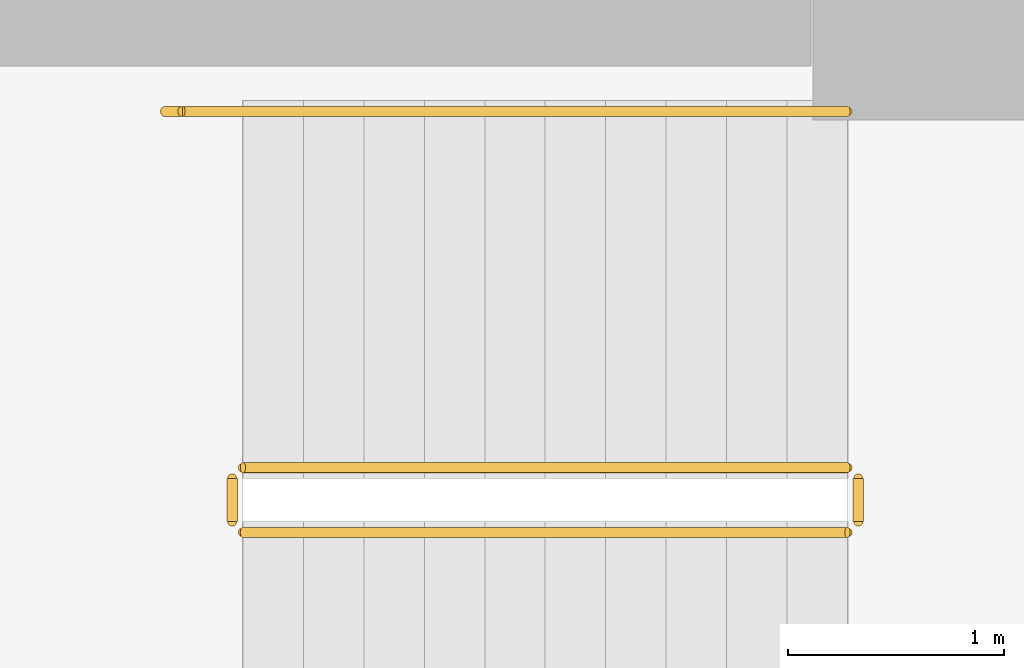
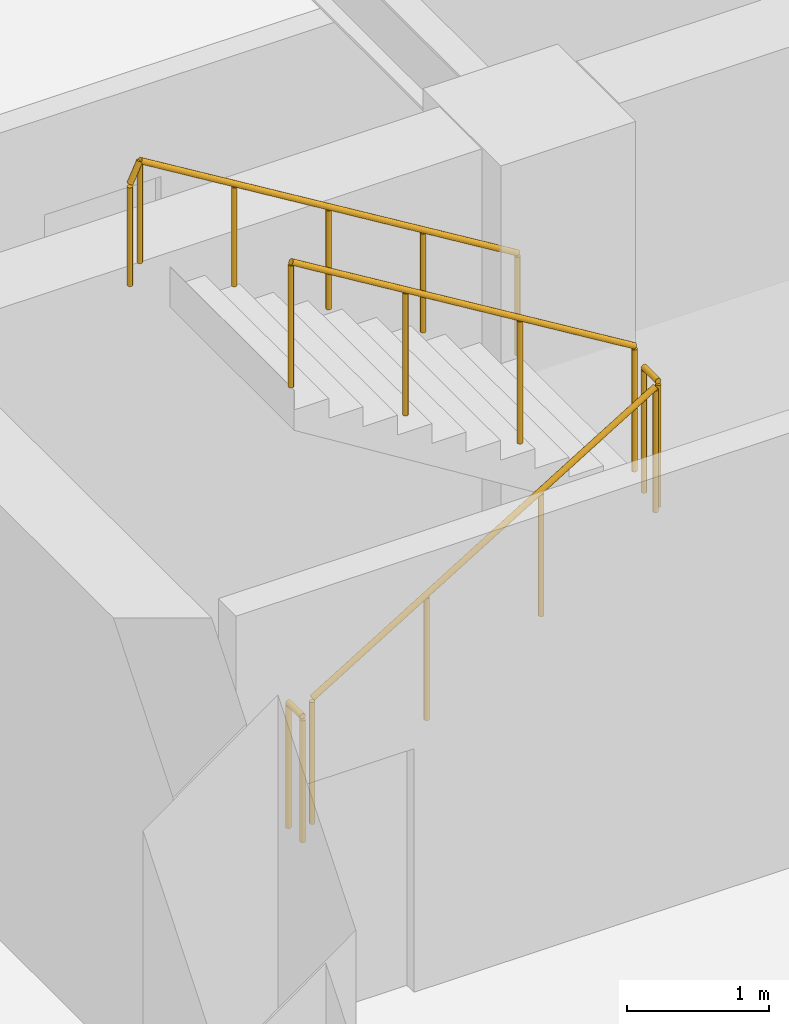
# One storey, part 25 of 26: 5 railings.
"""IFC4 building model written with IfcOpenShell, lengths in metres."""

from ifc_helpers import new_model, si_unit, direction, frame, origin, origin_2d, place, context, subcontext, project, spatial, circle, extrude, material, type_object, element, save


model = new_model("IFC4")

# Units and contexts
model_context = context("Model", 3, precision=1e-05, world=origin(), true_north=direction((0.0, 1.0)))
body_context = subcontext(model_context, "Body", "Model", "MODEL_VIEW")
ifc_project = project(units=[si_unit("LENGTHUNIT", "METRE"), si_unit("AREAUNIT", "SQUARE_METRE"), si_unit("VOLUMEUNIT", "CUBIC_METRE"), si_unit("PLANEANGLEUNIT", "RADIAN"), si_unit("MASSUNIT", "GRAM", prefix="KILO")], contexts=[model_context])

# Site, building, storey
site_placement = place(None, origin())
site = spatial("IfcSite", under=ifc_project, at=site_placement, CompositionType="ELEMENT")
building_placement = place(site_placement, origin())
building = spatial("IfcBuilding", under=site, at=building_placement, Name="Surkhivell Harbour Commons", CompositionType="ELEMENT")
storey_placement = place(building_placement, frame((0.0, 0.0, 143.25)))
storey = spatial("IfcBuildingStorey", under=building, at=storey_placement, Name="L37", CompositionType="ELEMENT", Elevation=143.25)

# Railings
ifc_material_1 = material(Name="Galvanised and painted steel S355 guard rail", Category="steel")
railing_type_1 = type_object("IfcRailingType", Name="RAL-ST-GRD1100", PredefinedType="GUARDRAIL", material=ifc_material_1)
railing_1_placement = place(storey_placement, frame((-8.590087890625, 8.340087890625, 0.17041015625)))
element("IfcRailing", 1, at=railing_1_placement, inside=storey, type_object=railing_type_1, Name="L37 ST1 stair guard 1", PredefinedType="GUARDRAIL", context=body_context, shape_type="SweptSolid", body=[
    extrude(circle(Radius=0.02392578125, at=origin_2d()), frame((0.0, 0.0, 1.076171875), z_axis=(0.854169791009, 0.0, 0.51999420009), x_axis=(0.0, 1.0, 0.0)), (0.0, 0.0, 1.0), 3.278076171875),
    extrude(circle(Radius=0.02099609375, at=origin_2d()), origin(), (0.0, 0.0, 1.0), 1.052001953125),
    extrude(circle(Radius=0.02099609375, at=origin_2d()), frame((0.933349609375, 0.0, 0.568115234375)), (0.0, 0.0, 1.0), 1.052001953125),
    extrude(circle(Radius=0.02099609375, at=origin_2d()), frame((1.86669921875, 0.0, 1.136474609375)), (0.0, 0.0, 1.0), 1.052001953125),
    extrude(circle(Radius=0.02099609375, at=origin_2d()), frame((2.800048828125, 0.0, 1.70458984375)), (0.0, 0.0, 1.0), 1.052001953125),
])
railing_2_placement = place(storey_placement, frame((-5.739990234375, 8.389892578125, 1.875)))
element("IfcRailing", 2, at=railing_2_placement, inside=storey, type_object=railing_type_1, Name="L37 ST1 stair guard 2", PredefinedType="GUARDRAIL", context=body_context, shape_type="SweptSolid", body=[
    extrude(circle(Radius=0.02392578125, at=origin_2d()), frame((0.0, 0.0, 1.076171875), z_axis=(0.0, 1.0, 0.0), x_axis=(-1.0, 0.0, 0.0)), (0.0, 0.0, 1.0), 0.2001953125),
    extrude(circle(Radius=0.02099609375, at=origin_2d()), origin(), (0.0, 0.0, 1.0), 1.052001953125),
    extrude(circle(Radius=0.02099609375, at=origin_2d()), frame((0.0, 0.2001953125, 0.0)), (0.0, 0.0, 1.0), 1.052001953125),
])
railing_3_placement = place(storey_placement, frame((-5.7900390625, 8.639892578125, 2.04541015625)))
element("IfcRailing", 3, at=railing_3_placement, inside=storey, type_object=railing_type_1, Name="L37 ST1 stair guard 3", PredefinedType="GUARDRAIL", context=body_context, shape_type="SweptSolid", body=[
    extrude(circle(Radius=0.02392578125, at=origin_2d()), frame((0.0, 0.0, 1.076171875), z_axis=(-0.854169791009, 0.0, 0.51999420009), x_axis=(0.0, -1.0, 0.0)), (0.0, 0.0, 1.0), 3.278076171875),
    extrude(circle(Radius=0.02099609375, at=origin_2d()), origin(), (0.0, 0.0, 1.0), 1.052001953125),
    extrude(circle(Radius=0.02099609375, at=origin_2d()), frame((-0.933349609375, 0.0, 0.568115234375)), (0.0, 0.0, 1.0), 1.052001953125),
    extrude(circle(Radius=0.02099609375, at=origin_2d()), frame((-1.86669921875, 0.0, 1.136474609375)), (0.0, 0.0, 1.0), 1.052001953125),
    extrude(circle(Radius=0.02099609375, at=origin_2d()), frame((-2.800048828125, 0.0, 1.70458984375)), (0.0, 0.0, 1.0), 1.052001953125),
])
railing_4_placement = place(storey_placement, frame((-8.639892578125, 8.389892578125, 0.0)))
element("IfcRailing", 4, at=railing_4_placement, inside=storey, type_object=railing_type_1, Name="L37 ST1 stair guard 4", PredefinedType="GUARDRAIL", context=body_context, shape_type="SweptSolid", body=[
    extrude(circle(Radius=0.02392578125, at=origin_2d()), frame((0.0, 0.0, 1.076171875), z_axis=(0.0, 1.0, 0.0), x_axis=(-1.0, 0.0, 0.0)), (0.0, 0.0, 1.0), 0.2001953125),
    extrude(circle(Radius=0.02099609375, at=origin_2d()), origin(), (0.0, 0.0, 1.0), 1.052001953125),
    extrude(circle(Radius=0.02099609375, at=origin_2d()), frame((0.0, 0.2001953125, 0.0)), (0.0, 0.0, 1.0), 1.052001953125),
])
ifc_material_2 = material(Name="Brushed stainless steel S355 handrail", Category="steel")
railing_type_2 = type_object("IfcRailingType", Name="RAL-ST-HND900", PredefinedType="HANDRAIL", material=ifc_material_2)
railing_5_placement = place(storey_placement, frame((-5.7900390625, 10.2900390625, 2.04541015625)))
element("IfcRailing", 5, at=railing_5_placement, inside=storey, type_object=railing_type_2, Name="L37 ST1 stair handrail 2", PredefinedType="HANDRAIL", context=body_context, shape_type="SweptSolid", body=[
    extrude(circle(Radius=0.02392578125, at=origin_2d()), frame((0.0, 0.0, 0.8759765625), z_axis=(-0.854177636135, 0.0, 0.519981313056), x_axis=(0.0, -1.0, 0.0)), (0.0, 0.0, 1.0), 3.60595703125),
    extrude(circle(Radius=0.02392578125, at=origin_2d()), frame((-3.080078125, 0.0, 2.7509765625), z_axis=(-0.424234432967, 0.0, -0.905552398199), x_axis=(0.0, -1.0, 0.0)), (0.0, 0.0, 1.0), 0.188232421875),
    extrude(circle(Radius=0.02099609375, at=origin_2d()), origin(), (0.0, 0.0, 1.0), 0.851806640625),
    extrude(circle(Radius=0.02099609375, at=origin_2d()), frame((-0.77001953125, 0.0, 0.46875)), (0.0, 0.0, 1.0), 0.851806640625),
    extrude(circle(Radius=0.02099609375, at=origin_2d()), frame((-1.5400390625, 0.0, 0.9375)), (0.0, 0.0, 1.0), 0.851806640625),
    extrude(circle(Radius=0.02099609375, at=origin_2d()), frame((-2.31005859375, 0.0, 1.40625)), (0.0, 0.0, 1.0), 0.851806640625),
    extrude(circle(Radius=0.02099609375, at=origin_2d()), frame((-3.080078125, 0.0, 1.875)), (0.0, 0.0, 1.0), 0.851806640625),
    extrude(circle(Radius=0.02099609375, at=origin_2d()), frame((-3.159912109375, 0.0, 1.70458984375)), (0.0, 0.0, 1.0), 0.851806640625),
])

save(model, "model.ifc")
